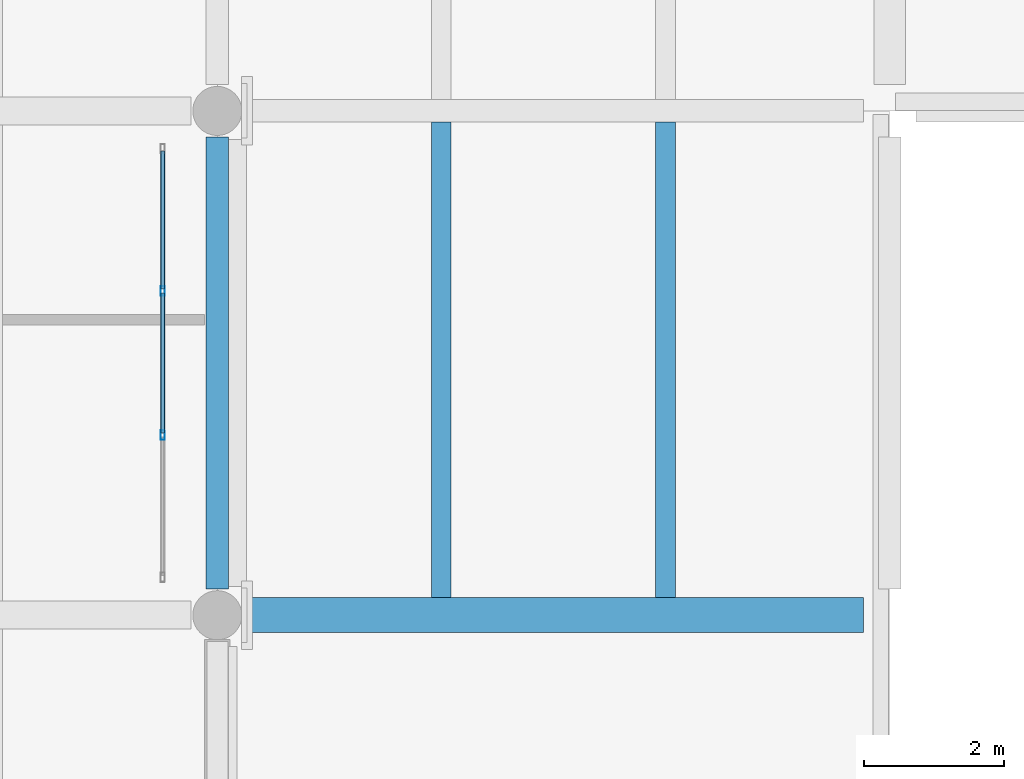
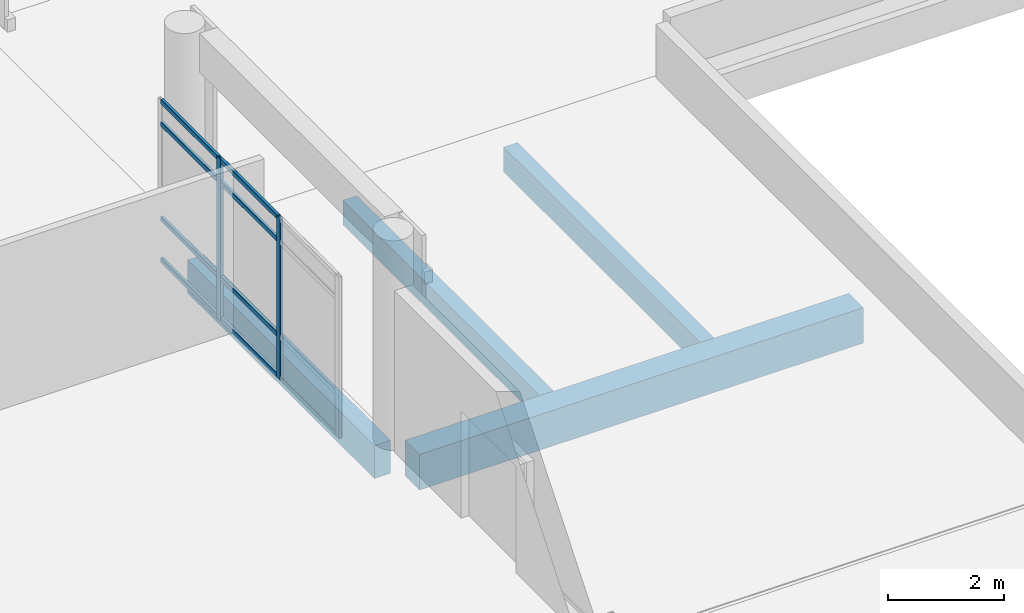
# One storey, part 61 of 196: 10 members, 4 beams, 1 element without a shape of its own.
"""IFC4 building model written with IfcOpenShell, lengths in metres."""

from ifc_helpers import new_model, si_unit, direction, frame, origin, origin_2d, place, context, subcontext, project, spatial, rectangle, hollow_rectangle, extrude, material, layer, layer_set, material_profile, profile_set, type_object, element, aggregate, save


model = new_model("IFC4")

# Units and contexts
model_context = context("Model", 3, precision=1e-05, world=origin(), true_north=direction((0.0, 1.0)))
body_context = subcontext(model_context, "Body", "Model", "MODEL_VIEW")
ifc_project = project(units=[si_unit("LENGTHUNIT", "METRE"), si_unit("AREAUNIT", "SQUARE_METRE"), si_unit("VOLUMEUNIT", "CUBIC_METRE"), si_unit("PLANEANGLEUNIT", "RADIAN"), si_unit("MASSUNIT", "GRAM", prefix="KILO")], contexts=[model_context])

# Site, building, storey
site_placement = place(None, origin())
site = spatial("IfcSite", under=ifc_project, at=site_placement, CompositionType="ELEMENT")
building_placement = place(site_placement, origin())
building = spatial("IfcBuilding", under=site, at=building_placement, Name="Asteropetra Specialist Clinic", CompositionType="ELEMENT")
storey_placement = place(building_placement, origin())
storey = spatial("IfcBuildingStorey", under=building, at=storey_placement, Name="L00", CompositionType="ELEMENT", Elevation=0.0)

# Beam
ifc_material_1 = material(Name="Concrete C35/45", Category="concrete")
ifc_material_profile_1 = material_profile(ifc_material_1, rectangle(XDim=0.5, YDim=0.75, at=origin_2d()), Name="RCB 500x750")
ifc_profile_set_1 = profile_set([ifc_material_profile_1], Name="Concrete C35/45")
beam_type_1 = type_object("IfcBeamType", Name="BM-RC500x750", PredefinedType="BEAM", material=ifc_profile_set_1)
beam_1_placement = place(storey_placement, frame((48.375, 40.800048828125, -0.68505859375), z_axis=(1.0, 0.0, 0.0), x_axis=(0.0, 1.0, 0.0)))
element("IfcBeam", 1, at=beam_1_placement, inside=storey, type_object=beam_type_1, Name="Beam BBM04-0108", PredefinedType="BEAM", context=body_context, shape_type="SweptSolid", body=[
    extrude(rectangle(XDim=0.5, YDim=0.75, at=origin_2d()), origin(), (0.0, 0.0, 1.0), 8.85009765625),
])

# Curtain wall, members
ifc_material_2 = material(Name="Aluminium and low-E glass", Category="aluminium")
ifc_layer = layer(ifc_material_2, 0.179931640625)
ifc_layer_set = layer_set([ifc_layer], Name="Aluminium and low-E glass")
curtain_wall_type = type_object("IfcCurtainWallType", Name="CW-SYS-10", PredefinedType="USERDEFINED", material=ifc_layer_set)
curtain_wall_placement = place(storey_placement, origin())
curtain_wall = element("IfcCurtainWall", 2, at=curtain_wall_placement, inside=storey, type_object=curtain_wall_type, Name="Curtain Wall CW-152", ObjectType="STICK GLAZED COLONNADE", PredefinedType="USERDEFINED")
ifc_material_3 = material(Name="Aluminium 6063-T6", Category="aluminium")
ifc_material_profile_2 = material_profile(ifc_material_3, hollow_rectangle(XDim=0.06005859375, YDim=0.135009765625, WallThickness=0.00341796875, InnerFilletRadius=0.00341796875, OuterFilletRadius=0.007080078125, at=origin_2d()), Name="MUL 135x60x3.5")
ifc_profile_set_2 = profile_set([ifc_material_profile_2], Name="Aluminium 6063-T6")
member_type_1 = type_object("IfcMemberType", Name="CWM-135x60", PredefinedType="MULLION", material=ifc_profile_set_2)
member_1_placement = place(storey_placement, frame((47.219970703125, 43.3701171875, 0.0), z_axis=(0.0, 0.0, 1.0), x_axis=(-1.0, 0.0, 0.0)))
member_1 = element("IfcMember", 3, at=member_1_placement, type_object=member_type_1, Name="CW-152 mullion 2", PredefinedType="MULLION", context=body_context, shape_type="SweptSolid", body=[
    extrude(hollow_rectangle(XDim=0.06005859375, YDim=0.135009765625, WallThickness=0.00341796875, InnerFilletRadius=0.00341796875, OuterFilletRadius=0.007080078125, at=origin_2d()), origin(), (0.0, 0.0, 1.0), 3.39990234375),
])
member_2_placement = place(storey_placement, frame((47.219970703125, 45.429931640625, 0.0), z_axis=(0.0, 0.0, 1.0), x_axis=(-1.0, 0.0, 0.0)))
member_2 = element("IfcMember", 4, at=member_2_placement, type_object=member_type_1, Name="CW-152 mullion 3", PredefinedType="MULLION", context=body_context, shape_type="SweptSolid", body=[
    extrude(hollow_rectangle(XDim=0.06005859375, YDim=0.135009765625, WallThickness=0.00341796875, InnerFilletRadius=0.00341796875, OuterFilletRadius=0.007080078125, at=origin_2d()), origin(), (0.0, 0.0, 1.0), 3.39990234375),
])
ifc_material_4 = material(Name="Aluminium 6063-T6", Category="aluminium")
ifc_material_profile_3 = material_profile(ifc_material_4, hollow_rectangle(XDim=0.06005859375, YDim=0.10009765625, WallThickness=0.00341796875, InnerFilletRadius=0.00341796875, OuterFilletRadius=0.007080078125, at=origin_2d()), Name="TRN 100x60x3.5")
ifc_profile_set_3 = profile_set([ifc_material_profile_3], Name="Aluminium 6063-T6")
member_type_2 = type_object("IfcMemberType", Name="CWT-100x60", PredefinedType="USERDEFINED", material=ifc_profile_set_3)
member_3_placement = place(storey_placement, frame((47.219970703125, 43.39990234375, 0.030029296875), z_axis=(0.0, 1.0, 0.0), x_axis=(-1.0, 0.0, 0.0)))
member_3 = element("IfcMember", 5, at=member_3_placement, type_object=member_type_2, Name="CW-152 transom 2.1", ObjectType="TRANSOM", PredefinedType="USERDEFINED", context=body_context, shape_type="SweptSolid", body=[
    extrude(hollow_rectangle(XDim=0.06005859375, YDim=0.10009765625, WallThickness=0.00341796875, InnerFilletRadius=0.00341796875, OuterFilletRadius=0.007080078125, at=origin_2d()), origin(), (0.0, 0.0, 1.0), 2.0),
])
member_4_placement = place(storey_placement, frame((47.219970703125, 43.39990234375, 0.89990234375), z_axis=(0.0, 1.0, 0.0), x_axis=(-1.0, 0.0, 0.0)))
member_4 = element("IfcMember", 6, at=member_4_placement, type_object=member_type_2, Name="CW-152 transom 2.2", ObjectType="TRANSOM", PredefinedType="USERDEFINED", context=body_context, shape_type="SweptSolid", body=[
    extrude(hollow_rectangle(XDim=0.06005859375, YDim=0.10009765625, WallThickness=0.00341796875, InnerFilletRadius=0.00341796875, OuterFilletRadius=0.007080078125, at=origin_2d()), origin(), (0.0, 0.0, 1.0), 2.0),
])
member_5_placement = place(storey_placement, frame((47.219970703125, 43.39990234375, 2.89990234375), z_axis=(0.0, 1.0, 0.0), x_axis=(-1.0, 0.0, 0.0)))
member_5 = element("IfcMember", 7, at=member_5_placement, type_object=member_type_2, Name="CW-152 transom 2.3", ObjectType="TRANSOM", PredefinedType="USERDEFINED", context=body_context, shape_type="SweptSolid", body=[
    extrude(hollow_rectangle(XDim=0.06005859375, YDim=0.10009765625, WallThickness=0.00341796875, InnerFilletRadius=0.00341796875, OuterFilletRadius=0.007080078125, at=origin_2d()), origin(), (0.0, 0.0, 1.0), 2.0),
])
member_6_placement = place(storey_placement, frame((47.219970703125, 43.39990234375, 3.3701171875), z_axis=(0.0, 1.0, 0.0), x_axis=(-1.0, 0.0, 0.0)))
member_6 = element("IfcMember", 8, at=member_6_placement, type_object=member_type_2, Name="CW-152 transom 2.4", ObjectType="TRANSOM", PredefinedType="USERDEFINED", context=body_context, shape_type="SweptSolid", body=[
    extrude(hollow_rectangle(XDim=0.06005859375, YDim=0.10009765625, WallThickness=0.00341796875, InnerFilletRadius=0.00341796875, OuterFilletRadius=0.007080078125, at=origin_2d()), origin(), (0.0, 0.0, 1.0), 2.0),
])
member_7_placement = place(storey_placement, frame((47.219970703125, 45.4599609375, 0.030029296875), z_axis=(0.0, 1.0, 0.0), x_axis=(-1.0, 0.0, 0.0)))
member_7 = element("IfcMember", 9, at=member_7_placement, type_object=member_type_2, Name="CW-152 transom 3.1", ObjectType="TRANSOM", PredefinedType="USERDEFINED", context=body_context, shape_type="SweptSolid", body=[
    extrude(hollow_rectangle(XDim=0.06005859375, YDim=0.10009765625, WallThickness=0.00341796875, InnerFilletRadius=0.00341796875, OuterFilletRadius=0.007080078125, at=origin_2d()), origin(), (0.0, 0.0, 1.0), 1.969970703125),
])
member_8_placement = place(storey_placement, frame((47.219970703125, 45.4599609375, 0.89990234375), z_axis=(0.0, 1.0, 0.0), x_axis=(-1.0, 0.0, 0.0)))
member_8 = element("IfcMember", 10, at=member_8_placement, type_object=member_type_2, Name="CW-152 transom 3.2", ObjectType="TRANSOM", PredefinedType="USERDEFINED", context=body_context, shape_type="SweptSolid", body=[
    extrude(hollow_rectangle(XDim=0.06005859375, YDim=0.10009765625, WallThickness=0.00341796875, InnerFilletRadius=0.00341796875, OuterFilletRadius=0.007080078125, at=origin_2d()), origin(), (0.0, 0.0, 1.0), 1.969970703125),
])
member_9_placement = place(storey_placement, frame((47.219970703125, 45.4599609375, 2.89990234375), z_axis=(0.0, 1.0, 0.0), x_axis=(-1.0, 0.0, 0.0)))
member_9 = element("IfcMember", 11, at=member_9_placement, type_object=member_type_2, Name="CW-152 transom 3.3", ObjectType="TRANSOM", PredefinedType="USERDEFINED", context=body_context, shape_type="SweptSolid", body=[
    extrude(hollow_rectangle(XDim=0.06005859375, YDim=0.10009765625, WallThickness=0.00341796875, InnerFilletRadius=0.00341796875, OuterFilletRadius=0.007080078125, at=origin_2d()), origin(), (0.0, 0.0, 1.0), 1.969970703125),
])
member_10_placement = place(storey_placement, frame((47.219970703125, 45.4599609375, 3.3701171875), z_axis=(0.0, 1.0, 0.0), x_axis=(-1.0, 0.0, 0.0)))
member_10 = element("IfcMember", 12, at=member_10_placement, type_object=member_type_2, Name="CW-152 transom 3.4", ObjectType="TRANSOM", PredefinedType="USERDEFINED", context=body_context, shape_type="SweptSolid", body=[
    extrude(hollow_rectangle(XDim=0.06005859375, YDim=0.10009765625, WallThickness=0.00341796875, InnerFilletRadius=0.00341796875, OuterFilletRadius=0.007080078125, at=origin_2d()), origin(), (0.0, 0.0, 1.0), 1.969970703125),
])
aggregate(curtain_wall, [member_1, member_2, member_3, member_4, member_5, member_6, member_7, member_8, member_9, member_10])

# Beams
ifc_material_5 = material(Name="Concrete C35/45", Category="concrete")
ifc_material_profile_4 = material_profile(ifc_material_5, rectangle(XDim=0.280029296875, YDim=0.52001953125, at=origin_2d()), Name="RCJ 280x520")
ifc_profile_set_4 = profile_set([ifc_material_profile_4], Name="Concrete C35/45")
beam_type_2 = type_object("IfcBeamType", Name="JST-RC280x520", PredefinedType="JOIST", material=ifc_profile_set_4)
for number, where, z_axis, x_axis, name in (
    (13, (51.199951171875, 41.050048828125, -0.570068359375), (0.0, 1.0, 0.0), (-1.0, 0.0, 0.0), "Joist JJST01-0112"),
    (14, (54.39990234375, 41.050048828125, -0.570068359375), (0.0, 1.0, 0.0), (-1.0, 0.0, 0.0), "Joist JJST01-0113"),
):
    element("IfcBeam", number, at=place(storey_placement, frame(where, z_axis=z_axis, x_axis=x_axis)), inside=storey, type_object=beam_type_2, Name=name, PredefinedType="JOIST", context=body_context, shape_type="SweptSolid", body=[
        extrude(rectangle(XDim=0.280029296875, YDim=0.52001953125, at=origin_2d()), origin(), (0.0, 0.0, 1.0), 6.7900390625),
    ])
ifc_material_6 = material(Name="Concrete C35/45", Category="concrete")
ifc_material_profile_5 = material_profile(ifc_material_6, rectangle(XDim=0.320068359375, YDim=0.699951171875, at=origin_2d()), Name="RCS 320x700")
ifc_profile_set_5 = profile_set([ifc_material_profile_5], Name="Concrete C35/45")
beam_type_3 = type_object("IfcBeamType", Name="SPN-RC320x700", PredefinedType="SPANDREL", material=ifc_profile_set_5)
beam_2_placement = place(storey_placement, frame((48.0, 41.175048828125, -0.659912109375), z_axis=(0.0, 1.0, 0.0), x_axis=(-1.0, 0.0, 0.0)))
element("IfcBeam", 15, at=beam_2_placement, inside=storey, type_object=beam_type_3, Name="Beam BSPN02-0110", PredefinedType="SPANDREL", context=body_context, shape_type="SweptSolid", body=[
    extrude(rectangle(XDim=0.320068359375, YDim=0.699951171875, at=origin_2d()), origin(), (0.0, 0.0, 1.0), 6.449951171875),
])

save(model, "model.ifc")
